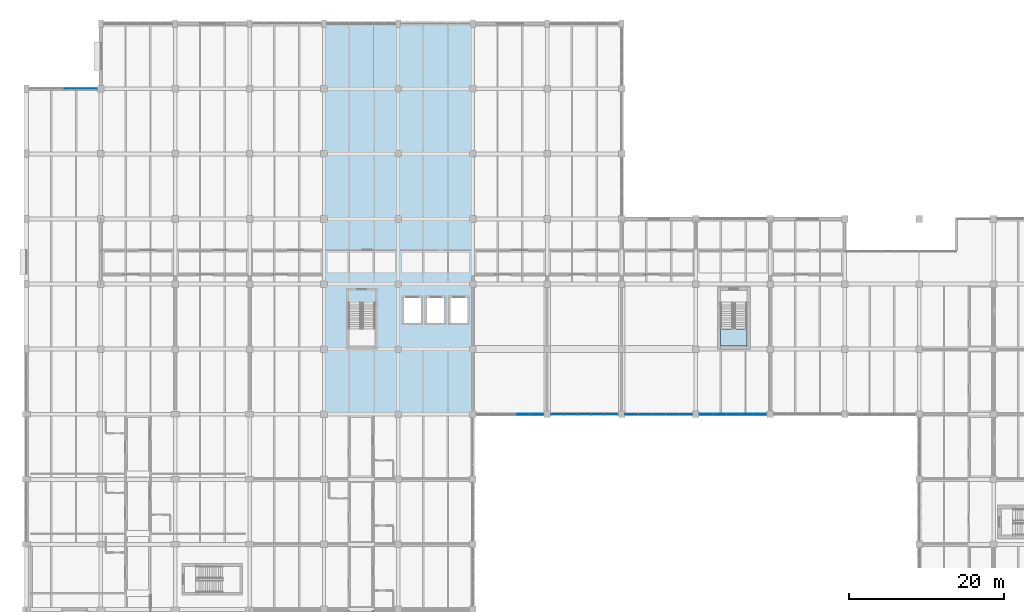
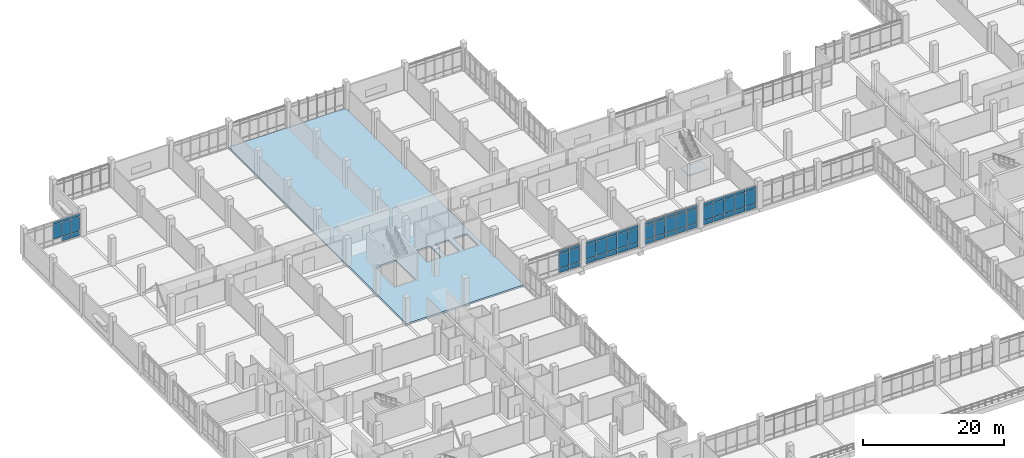
# One storey, part 92 of 152: 59 plates, 2 slabs, 6 elements without a shape of their own.
"""IFC4 building model written with IfcOpenShell, lengths in metres."""

from ifc_helpers import new_model, si_unit, direction, frame, origin, origin_2d, place, context, subcontext, project, spatial, polyline, rectangle, outline, extrude, material, layer, layer_set, type_object, element, aggregate, save


model = new_model("IFC4")

# Units and contexts
model_context = context("Model", 3, precision=1e-05, world=origin(), true_north=direction((0.0, 1.0)))
body_context = subcontext(model_context, "Body", "Model", "MODEL_VIEW")
ifc_project = project(units=[si_unit("LENGTHUNIT", "METRE"), si_unit("AREAUNIT", "SQUARE_METRE"), si_unit("VOLUMEUNIT", "CUBIC_METRE"), si_unit("PLANEANGLEUNIT", "RADIAN"), si_unit("MASSUNIT", "GRAM", prefix="KILO")], contexts=[model_context])

# Site, building, storey
site_placement = place(None, origin())
site = spatial("IfcSite", under=ifc_project, at=site_placement, CompositionType="ELEMENT")
building_placement = place(site_placement, origin())
building = spatial("IfcBuilding", under=site, at=building_placement, Name="Oolite Switchyard Hospital", CompositionType="ELEMENT")
storey_placement = place(building_placement, frame((0.0, 0.0, 5.10009765625)))
storey = spatial("IfcBuildingStorey", under=building, at=storey_placement, Name="L01", CompositionType="ELEMENT", Elevation=5.10009765625)

# Curtain wall, plates
ifc_material_1 = material(Name="Thermally broken aluminum frame with laminated impact glazing", Category="aluminium")
curtain_wall_type = type_object("IfcCurtainWallType", Name="CW-UNIT-96X48", PredefinedType="USERDEFINED", material=ifc_material_1)
curtain_wall_1_placement = place(storey_placement, origin())
curtain_wall_1 = element("IfcCurtainWall", 1, at=curtain_wall_1_placement, inside=storey, type_object=curtain_wall_type, Name="L01 Unitised Curtain Wall 151", ObjectType="UNITISED", PredefinedType="USERDEFINED")
ifc_material_2 = material(Name="Insulated fluoropolymer-coated aluminum spandrel panel", Category="aluminium")
ifc_layer_1 = layer(ifc_material_2, 0.054931640625)
ifc_layer_set_1 = layer_set([ifc_layer_1], Name="CW-PNL-SPN55")
plate_type_1 = type_object("IfcPlateType", Name="CW-PNL-SPN55", PredefinedType="CURTAIN_PANEL", material=ifc_layer_set_1)
plate_1_placement = place(storey_placement, frame((5.485107421875, 126.0, 0.88720703125), z_axis=(0.0, 0.0, 1.0), x_axis=(1.0, 0.0, 0.0)))
plate_1 = element("IfcPlate", 2, at=plate_1_placement, type_object=plate_type_1, Name="CW-02 panel 4.2", PredefinedType="CURTAIN_PANEL", context=body_context, shape_type="SweptSolid", body=[
    extrude(rectangle(XDim=1.39501953125, YDim=0.054931640625, at=origin_2d()), origin(), (0.0, 0.0, 1.0), 2.465087890625),
])
plate_2_placement = place(storey_placement, frame((5.485107421875, 126.0, 3.427490234375), z_axis=(0.0, 0.0, 1.0), x_axis=(1.0, 0.0, 0.0)))
plate_2 = element("IfcPlate", 3, at=plate_2_placement, type_object=plate_type_1, Name="CW-02 panel 4.3", PredefinedType="CURTAIN_PANEL", context=body_context, shape_type="SweptSolid", body=[
    extrude(rectangle(XDim=1.39501953125, YDim=0.054931640625, at=origin_2d()), origin(), (0.0, 0.0, 1.0), 0.4375),
])
plate_3_placement = place(storey_placement, frame((6.955078125, 126.0, 0.07470703125), z_axis=(0.0, 0.0, 1.0), x_axis=(1.0, 0.0, 0.0)))
plate_3 = element("IfcPlate", 4, at=plate_3_placement, type_object=plate_type_1, Name="CW-02 panel 5.1", PredefinedType="CURTAIN_PANEL", context=body_context, shape_type="SweptSolid", body=[
    extrude(rectangle(XDim=1.39501953125, YDim=0.054931640625, at=origin_2d()), origin(), (0.0, 0.0, 1.0), 0.737548828125),
])
plate_4_placement = place(storey_placement, frame((6.955078125, 126.0, 0.88720703125), z_axis=(0.0, 0.0, 1.0), x_axis=(1.0, 0.0, 0.0)))
plate_4 = element("IfcPlate", 5, at=plate_4_placement, type_object=plate_type_1, Name="CW-02 panel 5.2", PredefinedType="CURTAIN_PANEL", context=body_context, shape_type="SweptSolid", body=[
    extrude(rectangle(XDim=1.39501953125, YDim=0.054931640625, at=origin_2d()), origin(), (0.0, 0.0, 1.0), 2.465087890625),
])
plate_5_placement = place(storey_placement, frame((6.955078125, 126.0, 3.427490234375), z_axis=(0.0, 0.0, 1.0), x_axis=(1.0, 0.0, 0.0)))
plate_5 = element("IfcPlate", 6, at=plate_5_placement, type_object=plate_type_1, Name="CW-02 panel 5.3", PredefinedType="CURTAIN_PANEL", context=body_context, shape_type="SweptSolid", body=[
    extrude(rectangle(XDim=1.39501953125, YDim=0.054931640625, at=origin_2d()), origin(), (0.0, 0.0, 1.0), 0.4375),
])
plate_6_placement = place(storey_placement, frame((8.40625, 126.0, 0.07470703125), z_axis=(0.0, 0.0, 1.0), x_axis=(1.0, 0.0, 0.0)))
plate_6 = element("IfcPlate", 7, at=plate_6_placement, type_object=plate_type_1, Name="CW-02 panel 6.1", PredefinedType="CURTAIN_PANEL", context=body_context, shape_type="SweptSolid", body=[
    extrude(rectangle(XDim=1.357421875, YDim=0.054931640625, at=origin_2d()), origin(), (0.0, 0.0, 1.0), 0.737548828125),
])
plate_7_placement = place(storey_placement, frame((8.40625, 126.0, 0.88720703125), z_axis=(0.0, 0.0, 1.0), x_axis=(1.0, 0.0, 0.0)))
plate_7 = element("IfcPlate", 8, at=plate_7_placement, type_object=plate_type_1, Name="CW-02 panel 6.2", PredefinedType="CURTAIN_PANEL", context=body_context, shape_type="SweptSolid", body=[
    extrude(rectangle(XDim=1.357421875, YDim=0.054931640625, at=origin_2d()), origin(), (0.0, 0.0, 1.0), 2.465087890625),
])
plate_8_placement = place(storey_placement, frame((8.40625, 126.0, 3.427490234375), z_axis=(0.0, 0.0, 1.0), x_axis=(1.0, 0.0, 0.0)))
plate_8 = element("IfcPlate", 9, at=plate_8_placement, type_object=plate_type_1, Name="CW-02 panel 6.3", PredefinedType="CURTAIN_PANEL", context=body_context, shape_type="SweptSolid", body=[
    extrude(rectangle(XDim=1.357421875, YDim=0.054931640625, at=origin_2d()), origin(), (0.0, 0.0, 1.0), 0.4375),
])
aggregate(curtain_wall_1, [plate_1, plate_2, plate_3, plate_4, plate_5, plate_6, plate_7, plate_8])

curtain_wall_2_placement = place(storey_placement, origin())
curtain_wall_2 = element("IfcCurtainWall", 10, at=curtain_wall_2_placement, inside=storey, type_object=curtain_wall_type, Name="L01 Unitised Curtain Wall 138", ObjectType="UNITISED", PredefinedType="USERDEFINED")
ifc_layer_2 = layer(ifc_material_2, 0.070068359375)
ifc_layer_set_2 = layer_set([ifc_layer_2], Name="CW-PNL-SPN70")
plate_type_2 = type_object("IfcPlateType", Name="CW-PNL-SPN70", PredefinedType="CURTAIN_PANEL", material=ifc_layer_set_2)
plate_9_placement = place(storey_placement, frame((65.87060546875, 84.0, 0.06005859375), z_axis=(0.0, 0.0, 1.0), x_axis=(-1.0, 0.0, 0.0)))
plate_9 = element("IfcPlate", 11, at=plate_9_placement, type_object=plate_type_2, Name="CW-02 panel 1.1", PredefinedType="CURTAIN_PANEL", context=body_context, shape_type="SweptSolid", body=[
    extrude(rectangle(XDim=1.638916015625, YDim=0.070068359375, at=origin_2d()), origin(), (0.0, 0.0, 1.0), 0.760009765625),
])
plate_10_placement = place(storey_placement, frame((65.87060546875, 84.0, 0.8798828125), z_axis=(0.0, 0.0, 1.0), x_axis=(-1.0, 0.0, 0.0)))
plate_10 = element("IfcPlate", 12, at=plate_10_placement, type_object=plate_type_2, Name="CW-02 panel 1.2", PredefinedType="CURTAIN_PANEL", context=body_context, shape_type="SweptSolid", body=[
    extrude(rectangle(XDim=1.638916015625, YDim=0.070068359375, at=origin_2d()), origin(), (0.0, 0.0, 1.0), 2.47998046875),
])
plate_11_placement = place(storey_placement, frame((65.87060546875, 84.0, 3.419921875), z_axis=(0.0, 0.0, 1.0), x_axis=(-1.0, 0.0, 0.0)))
plate_11 = element("IfcPlate", 13, at=plate_11_placement, type_object=plate_type_2, Name="CW-02 panel 1.3", PredefinedType="CURTAIN_PANEL", context=body_context, shape_type="SweptSolid", body=[
    extrude(rectangle(XDim=1.638916015625, YDim=0.070068359375, at=origin_2d()), origin(), (0.0, 0.0, 1.0), 0.4599609375),
])
plate_12_placement = place(storey_placement, frame((64.14404296875, 84.0, 0.06005859375), z_axis=(0.0, 0.0, 1.0), x_axis=(-1.0, 0.0, 0.0)))
plate_12 = element("IfcPlate", 14, at=plate_12_placement, type_object=plate_type_2, Name="CW-02 panel 2.1", PredefinedType="CURTAIN_PANEL", context=body_context, shape_type="SweptSolid", body=[
    extrude(rectangle(XDim=1.674072265625, YDim=0.070068359375, at=origin_2d()), origin(), (0.0, 0.0, 1.0), 0.760009765625),
])
plate_13_placement = place(storey_placement, frame((64.14404296875, 84.0, 0.8798828125), z_axis=(0.0, 0.0, 1.0), x_axis=(-1.0, 0.0, 0.0)))
plate_13 = element("IfcPlate", 15, at=plate_13_placement, type_object=plate_type_2, Name="CW-02 panel 2.2", PredefinedType="CURTAIN_PANEL", context=body_context, shape_type="SweptSolid", body=[
    extrude(rectangle(XDim=1.674072265625, YDim=0.070068359375, at=origin_2d()), origin(), (0.0, 0.0, 1.0), 2.47998046875),
])
plate_14_placement = place(storey_placement, frame((64.14404296875, 84.0, 3.419921875), z_axis=(0.0, 0.0, 1.0), x_axis=(-1.0, 0.0, 0.0)))
plate_14 = element("IfcPlate", 16, at=plate_14_placement, type_object=plate_type_2, Name="CW-02 panel 2.3", PredefinedType="CURTAIN_PANEL", context=body_context, shape_type="SweptSolid", body=[
    extrude(rectangle(XDim=1.674072265625, YDim=0.070068359375, at=origin_2d()), origin(), (0.0, 0.0, 1.0), 0.4599609375),
])
aggregate(curtain_wall_2, [plate_9, plate_10, plate_11, plate_12, plate_13, plate_14])

curtain_wall_3_placement = place(storey_placement, origin())
curtain_wall_3 = element("IfcCurtainWall", 17, at=curtain_wall_3_placement, inside=storey, type_object=curtain_wall_type, Name="L01 Unitised Curtain Wall 141", ObjectType="UNITISED", PredefinedType="USERDEFINED")
plate_15_placement = place(storey_placement, frame((94.67041015625, 84.0, 0.07470703125), z_axis=(0.0, 0.0, 1.0), x_axis=(-1.0, 0.0, 0.0)))
plate_15 = element("IfcPlate", 18, at=plate_15_placement, type_object=plate_type_2, Name="CW-02 panel 1.1", PredefinedType="CURTAIN_PANEL", context=body_context, shape_type="SweptSolid", body=[
    extrude(rectangle(XDim=1.638916015625, YDim=0.070068359375, at=origin_2d()), origin(), (0.0, 0.0, 1.0), 0.737548828125),
])
plate_16_placement = place(storey_placement, frame((94.67041015625, 84.0, 0.88720703125), z_axis=(0.0, 0.0, 1.0), x_axis=(-1.0, 0.0, 0.0)))
plate_16 = element("IfcPlate", 19, at=plate_16_placement, type_object=plate_type_2, Name="CW-02 panel 1.2", PredefinedType="CURTAIN_PANEL", context=body_context, shape_type="SweptSolid", body=[
    extrude(rectangle(XDim=1.638916015625, YDim=0.070068359375, at=origin_2d()), origin(), (0.0, 0.0, 1.0), 2.465087890625),
])
plate_17_placement = place(storey_placement, frame((94.67041015625, 84.0, 3.427490234375), z_axis=(0.0, 0.0, 1.0), x_axis=(-1.0, 0.0, 0.0)))
plate_17 = element("IfcPlate", 20, at=plate_17_placement, type_object=plate_type_2, Name="CW-02 panel 1.3", PredefinedType="CURTAIN_PANEL", context=body_context, shape_type="SweptSolid", body=[
    extrude(rectangle(XDim=1.638916015625, YDim=0.070068359375, at=origin_2d()), origin(), (0.0, 0.0, 1.0), 0.4375),
])
plate_18_placement = place(storey_placement, frame((92.944091796875, 84.0, 0.07470703125), z_axis=(0.0, 0.0, 1.0), x_axis=(-1.0, 0.0, 0.0)))
plate_18 = element("IfcPlate", 21, at=plate_18_placement, type_object=plate_type_2, Name="CW-02 panel 2.1", PredefinedType="CURTAIN_PANEL", context=body_context, shape_type="SweptSolid", body=[
    extrude(rectangle(XDim=1.674072265625, YDim=0.070068359375, at=origin_2d()), origin(), (0.0, 0.0, 1.0), 0.737548828125),
])
plate_19_placement = place(storey_placement, frame((92.944091796875, 84.0, 0.88720703125), z_axis=(0.0, 0.0, 1.0), x_axis=(-1.0, 0.0, 0.0)))
plate_19 = element("IfcPlate", 22, at=plate_19_placement, type_object=plate_type_2, Name="CW-02 panel 2.2", PredefinedType="CURTAIN_PANEL", context=body_context, shape_type="SweptSolid", body=[
    extrude(rectangle(XDim=1.674072265625, YDim=0.070068359375, at=origin_2d()), origin(), (0.0, 0.0, 1.0), 2.465087890625),
])
plate_20_placement = place(storey_placement, frame((92.944091796875, 84.0, 3.427490234375), z_axis=(0.0, 0.0, 1.0), x_axis=(-1.0, 0.0, 0.0)))
plate_20 = element("IfcPlate", 23, at=plate_20_placement, type_object=plate_type_2, Name="CW-02 panel 2.3", PredefinedType="CURTAIN_PANEL", context=body_context, shape_type="SweptSolid", body=[
    extrude(rectangle(XDim=1.674072265625, YDim=0.070068359375, at=origin_2d()), origin(), (0.0, 0.0, 1.0), 0.4375),
])
plate_21_placement = place(storey_placement, frame((91.199951171875, 84.0, 0.07470703125), z_axis=(0.0, 0.0, 1.0), x_axis=(-1.0, 0.0, 0.0)))
plate_21 = element("IfcPlate", 24, at=plate_21_placement, type_object=plate_type_2, Name="CW-02 panel 3.1", PredefinedType="CURTAIN_PANEL", context=body_context, shape_type="SweptSolid", body=[
    extrude(rectangle(XDim=1.674072265625, YDim=0.070068359375, at=origin_2d()), origin(), (0.0, 0.0, 1.0), 0.737548828125),
])
plate_22_placement = place(storey_placement, frame((91.199951171875, 84.0, 0.88720703125), z_axis=(0.0, 0.0, 1.0), x_axis=(-1.0, 0.0, 0.0)))
plate_22 = element("IfcPlate", 25, at=plate_22_placement, type_object=plate_type_2, Name="CW-02 panel 3.2", PredefinedType="CURTAIN_PANEL", context=body_context, shape_type="SweptSolid", body=[
    extrude(rectangle(XDim=1.674072265625, YDim=0.070068359375, at=origin_2d()), origin(), (0.0, 0.0, 1.0), 2.465087890625),
])
plate_23_placement = place(storey_placement, frame((91.199951171875, 84.0, 3.427490234375), z_axis=(0.0, 0.0, 1.0), x_axis=(-1.0, 0.0, 0.0)))
plate_23 = element("IfcPlate", 26, at=plate_23_placement, type_object=plate_type_2, Name="CW-02 panel 3.3", PredefinedType="CURTAIN_PANEL", context=body_context, shape_type="SweptSolid", body=[
    extrude(rectangle(XDim=1.674072265625, YDim=0.070068359375, at=origin_2d()), origin(), (0.0, 0.0, 1.0), 0.4375),
])
plate_24_placement = place(storey_placement, frame((89.4560546875, 84.0, 0.07470703125), z_axis=(0.0, 0.0, 1.0), x_axis=(-1.0, 0.0, 0.0)))
plate_24 = element("IfcPlate", 27, at=plate_24_placement, type_object=plate_type_2, Name="CW-02 panel 4.1", PredefinedType="CURTAIN_PANEL", context=body_context, shape_type="SweptSolid", body=[
    extrude(rectangle(XDim=1.674072265625, YDim=0.070068359375, at=origin_2d()), origin(), (0.0, 0.0, 1.0), 0.737548828125),
])
plate_25_placement = place(storey_placement, frame((89.4560546875, 84.0, 0.88720703125), z_axis=(0.0, 0.0, 1.0), x_axis=(-1.0, 0.0, 0.0)))
plate_25 = element("IfcPlate", 28, at=plate_25_placement, type_object=plate_type_2, Name="CW-02 panel 4.2", PredefinedType="CURTAIN_PANEL", context=body_context, shape_type="SweptSolid", body=[
    extrude(rectangle(XDim=1.674072265625, YDim=0.070068359375, at=origin_2d()), origin(), (0.0, 0.0, 1.0), 2.465087890625),
])
plate_26_placement = place(storey_placement, frame((89.4560546875, 84.0, 3.427490234375), z_axis=(0.0, 0.0, 1.0), x_axis=(-1.0, 0.0, 0.0)))
plate_26 = element("IfcPlate", 29, at=plate_26_placement, type_object=plate_type_2, Name="CW-02 panel 4.3", PredefinedType="CURTAIN_PANEL", context=body_context, shape_type="SweptSolid", body=[
    extrude(rectangle(XDim=1.674072265625, YDim=0.070068359375, at=origin_2d()), origin(), (0.0, 0.0, 1.0), 0.4375),
])
plate_27_placement = place(storey_placement, frame((87.7294921875, 84.0, 0.07470703125), z_axis=(0.0, 0.0, 1.0), x_axis=(-1.0, 0.0, 0.0)))
plate_27 = element("IfcPlate", 30, at=plate_27_placement, type_object=plate_type_2, Name="CW-02 panel 5.1", PredefinedType="CURTAIN_PANEL", context=body_context, shape_type="SweptSolid", body=[
    extrude(rectangle(XDim=1.638916015625, YDim=0.070068359375, at=origin_2d()), origin(), (0.0, 0.0, 1.0), 0.737548828125),
])
plate_28_placement = place(storey_placement, frame((87.7294921875, 84.0, 0.88720703125), z_axis=(0.0, 0.0, 1.0), x_axis=(-1.0, 0.0, 0.0)))
plate_28 = element("IfcPlate", 31, at=plate_28_placement, type_object=plate_type_2, Name="CW-02 panel 5.2", PredefinedType="CURTAIN_PANEL", context=body_context, shape_type="SweptSolid", body=[
    extrude(rectangle(XDim=1.638916015625, YDim=0.070068359375, at=origin_2d()), origin(), (0.0, 0.0, 1.0), 2.465087890625),
])
plate_29_placement = place(storey_placement, frame((87.7294921875, 84.0, 3.427490234375), z_axis=(0.0, 0.0, 1.0), x_axis=(-1.0, 0.0, 0.0)))
plate_29 = element("IfcPlate", 32, at=plate_29_placement, type_object=plate_type_2, Name="CW-02 panel 5.3", PredefinedType="CURTAIN_PANEL", context=body_context, shape_type="SweptSolid", body=[
    extrude(rectangle(XDim=1.638916015625, YDim=0.070068359375, at=origin_2d()), origin(), (0.0, 0.0, 1.0), 0.4375),
])
aggregate(curtain_wall_3, [plate_15, plate_16, plate_17, plate_18, plate_19, plate_20, plate_21, plate_22, plate_23, plate_24, plate_25, plate_26, plate_27, plate_28, plate_29])

curtain_wall_4_placement = place(storey_placement, origin())
curtain_wall_4 = element("IfcCurtainWall", 33, at=curtain_wall_4_placement, inside=storey, type_object=curtain_wall_type, Name="L01 Unitised Curtain Wall 139", ObjectType="UNITISED", PredefinedType="USERDEFINED")
ifc_material_3 = material(Name="Laminated hurricane-impact insulated glazing unit", Category="glass")
ifc_layer_3 = layer(ifc_material_3, 0.031982421875)
ifc_layer_set_3 = layer_set([ifc_layer_3], Name="CW-PNL-VIS32")
plate_type_3 = type_object("IfcPlateType", Name="CW-PNL-VIS32", PredefinedType="CURTAIN_PANEL", material=ifc_layer_set_3)
plate_30_placement = place(storey_placement, frame((75.46923828125, 84.0, 0.07470703125), z_axis=(0.0, 0.0, 1.0), x_axis=(-1.0, 0.0, 0.0)))
plate_30 = element("IfcPlate", 34, at=plate_30_placement, type_object=plate_type_3, Name="CW-02 panel 1.1", PredefinedType="CURTAIN_PANEL", context=body_context, shape_type="SweptSolid", body=[
    extrude(rectangle(XDim=1.631591796875, YDim=0.031982421875, at=origin_2d()), origin(), (0.0, 0.0, 1.0), 0.737548828125),
])
plate_31_placement = place(storey_placement, frame((75.46923828125, 84.0, 0.88720703125), z_axis=(0.0, 0.0, 1.0), x_axis=(-1.0, 0.0, 0.0)))
plate_31 = element("IfcPlate", 35, at=plate_31_placement, type_object=plate_type_3, Name="CW-02 panel 1.2", PredefinedType="CURTAIN_PANEL", context=body_context, shape_type="SweptSolid", body=[
    extrude(rectangle(XDim=1.631591796875, YDim=0.031982421875, at=origin_2d()), origin(), (0.0, 0.0, 1.0), 2.465087890625),
])
plate_32_placement = place(storey_placement, frame((75.46923828125, 84.0, 3.427490234375), z_axis=(0.0, 0.0, 1.0), x_axis=(-1.0, 0.0, 0.0)))
plate_32 = element("IfcPlate", 36, at=plate_32_placement, type_object=plate_type_3, Name="CW-02 panel 1.3", PredefinedType="CURTAIN_PANEL", context=body_context, shape_type="SweptSolid", body=[
    extrude(rectangle(XDim=1.631591796875, YDim=0.031982421875, at=origin_2d()), origin(), (0.0, 0.0, 1.0), 0.4375),
])
plate_33_placement = place(storey_placement, frame((73.743896484375, 84.0, 0.07470703125), z_axis=(0.0, 0.0, 1.0), x_axis=(-1.0, 0.0, 0.0)))
plate_33 = element("IfcPlate", 37, at=plate_33_placement, type_object=plate_type_3, Name="CW-02 panel 2.1", PredefinedType="CURTAIN_PANEL", context=body_context, shape_type="SweptSolid", body=[
    extrude(rectangle(XDim=1.6689453125, YDim=0.031982421875, at=origin_2d()), origin(), (0.0, 0.0, 1.0), 0.737548828125),
])
plate_34_placement = place(storey_placement, frame((73.743896484375, 84.0, 0.88720703125), z_axis=(0.0, 0.0, 1.0), x_axis=(-1.0, 0.0, 0.0)))
plate_34 = element("IfcPlate", 38, at=plate_34_placement, type_object=plate_type_3, Name="CW-02 panel 2.2", PredefinedType="CURTAIN_PANEL", context=body_context, shape_type="SweptSolid", body=[
    extrude(rectangle(XDim=1.6689453125, YDim=0.031982421875, at=origin_2d()), origin(), (0.0, 0.0, 1.0), 2.465087890625),
])
plate_35_placement = place(storey_placement, frame((73.743896484375, 84.0, 3.427490234375), z_axis=(0.0, 0.0, 1.0), x_axis=(-1.0, 0.0, 0.0)))
plate_35 = element("IfcPlate", 39, at=plate_35_placement, type_object=plate_type_3, Name="CW-02 panel 2.3", PredefinedType="CURTAIN_PANEL", context=body_context, shape_type="SweptSolid", body=[
    extrude(rectangle(XDim=1.6689453125, YDim=0.031982421875, at=origin_2d()), origin(), (0.0, 0.0, 1.0), 0.4375),
])
plate_36_placement = place(storey_placement, frame((72.0, 84.0, 0.07470703125), z_axis=(0.0, 0.0, 1.0), x_axis=(-1.0, 0.0, 0.0)))
plate_36 = element("IfcPlate", 40, at=plate_36_placement, type_object=plate_type_3, Name="CW-02 panel 3.1", PredefinedType="CURTAIN_PANEL", context=body_context, shape_type="SweptSolid", body=[
    extrude(rectangle(XDim=1.6689453125, YDim=0.031982421875, at=origin_2d()), origin(), (0.0, 0.0, 1.0), 0.737548828125),
])
plate_37_placement = place(storey_placement, frame((72.0, 84.0, 0.88720703125), z_axis=(0.0, 0.0, 1.0), x_axis=(-1.0, 0.0, 0.0)))
plate_37 = element("IfcPlate", 41, at=plate_37_placement, type_object=plate_type_3, Name="CW-02 panel 3.2", PredefinedType="CURTAIN_PANEL", context=body_context, shape_type="SweptSolid", body=[
    extrude(rectangle(XDim=1.6689453125, YDim=0.031982421875, at=origin_2d()), origin(), (0.0, 0.0, 1.0), 2.465087890625),
])
plate_38_placement = place(storey_placement, frame((72.0, 84.0, 3.427490234375), z_axis=(0.0, 0.0, 1.0), x_axis=(-1.0, 0.0, 0.0)))
plate_38 = element("IfcPlate", 42, at=plate_38_placement, type_object=plate_type_3, Name="CW-02 panel 3.3", PredefinedType="CURTAIN_PANEL", context=body_context, shape_type="SweptSolid", body=[
    extrude(rectangle(XDim=1.6689453125, YDim=0.031982421875, at=origin_2d()), origin(), (0.0, 0.0, 1.0), 0.4375),
])
plate_39_placement = place(storey_placement, frame((70.256103515625, 84.0, 0.07470703125), z_axis=(0.0, 0.0, 1.0), x_axis=(-1.0, 0.0, 0.0)))
plate_39 = element("IfcPlate", 43, at=plate_39_placement, type_object=plate_type_3, Name="CW-02 panel 4.1", PredefinedType="CURTAIN_PANEL", context=body_context, shape_type="SweptSolid", body=[
    extrude(rectangle(XDim=1.6689453125, YDim=0.031982421875, at=origin_2d()), origin(), (0.0, 0.0, 1.0), 0.737548828125),
])
plate_40_placement = place(storey_placement, frame((70.256103515625, 84.0, 0.88720703125), z_axis=(0.0, 0.0, 1.0), x_axis=(-1.0, 0.0, 0.0)))
plate_40 = element("IfcPlate", 44, at=plate_40_placement, type_object=plate_type_3, Name="CW-02 panel 4.2", PredefinedType="CURTAIN_PANEL", context=body_context, shape_type="SweptSolid", body=[
    extrude(rectangle(XDim=1.6689453125, YDim=0.031982421875, at=origin_2d()), origin(), (0.0, 0.0, 1.0), 2.465087890625),
])
plate_41_placement = place(storey_placement, frame((70.256103515625, 84.0, 3.427490234375), z_axis=(0.0, 0.0, 1.0), x_axis=(-1.0, 0.0, 0.0)))
plate_41 = element("IfcPlate", 45, at=plate_41_placement, type_object=plate_type_3, Name="CW-02 panel 4.3", PredefinedType="CURTAIN_PANEL", context=body_context, shape_type="SweptSolid", body=[
    extrude(rectangle(XDim=1.6689453125, YDim=0.031982421875, at=origin_2d()), origin(), (0.0, 0.0, 1.0), 0.4375),
])
plate_42_placement = place(storey_placement, frame((68.53076171875, 84.0, 0.07470703125), z_axis=(0.0, 0.0, 1.0), x_axis=(-1.0, 0.0, 0.0)))
plate_42 = element("IfcPlate", 46, at=plate_42_placement, type_object=plate_type_3, Name="CW-02 panel 5.1", PredefinedType="CURTAIN_PANEL", context=body_context, shape_type="SweptSolid", body=[
    extrude(rectangle(XDim=1.631591796875, YDim=0.031982421875, at=origin_2d()), origin(), (0.0, 0.0, 1.0), 0.737548828125),
])
plate_43_placement = place(storey_placement, frame((68.53076171875, 84.0, 0.88720703125), z_axis=(0.0, 0.0, 1.0), x_axis=(-1.0, 0.0, 0.0)))
plate_43 = element("IfcPlate", 47, at=plate_43_placement, type_object=plate_type_3, Name="CW-02 panel 5.2", PredefinedType="CURTAIN_PANEL", context=body_context, shape_type="SweptSolid", body=[
    extrude(rectangle(XDim=1.631591796875, YDim=0.031982421875, at=origin_2d()), origin(), (0.0, 0.0, 1.0), 2.465087890625),
])
plate_44_placement = place(storey_placement, frame((68.53076171875, 84.0, 3.427490234375), z_axis=(0.0, 0.0, 1.0), x_axis=(-1.0, 0.0, 0.0)))
plate_44 = element("IfcPlate", 48, at=plate_44_placement, type_object=plate_type_3, Name="CW-02 panel 5.3", PredefinedType="CURTAIN_PANEL", context=body_context, shape_type="SweptSolid", body=[
    extrude(rectangle(XDim=1.631591796875, YDim=0.031982421875, at=origin_2d()), origin(), (0.0, 0.0, 1.0), 0.4375),
])
aggregate(curtain_wall_4, [plate_30, plate_31, plate_32, plate_33, plate_34, plate_35, plate_36, plate_37, plate_38, plate_39, plate_40, plate_41, plate_42, plate_43, plate_44])

curtain_wall_5_placement = place(storey_placement, origin())
curtain_wall_5 = element("IfcCurtainWall", 49, at=curtain_wall_5_placement, inside=storey, type_object=curtain_wall_type, Name="L01 Unitised Curtain Wall 140", ObjectType="UNITISED", PredefinedType="USERDEFINED")
ifc_layer_4 = layer(ifc_material_3, 0.0419921875)
ifc_layer_set_4 = layer_set([ifc_layer_4], Name="CW-PNL-VIS42")
plate_type_4 = type_object("IfcPlateType", Name="CW-PNL-VIS42", PredefinedType="CURTAIN_PANEL", material=ifc_layer_set_4)
plate_45_placement = place(storey_placement, frame((85.072998046875, 84.0, 0.06005859375), z_axis=(0.0, 0.0, 1.0), x_axis=(-1.0, 0.0, 0.0)))
plate_45 = element("IfcPlate", 50, at=plate_45_placement, type_object=plate_type_4, Name="CW-02 panel 1.1", PredefinedType="CURTAIN_PANEL", context=body_context, shape_type="SweptSolid", body=[
    extrude(rectangle(XDim=1.654052734375, YDim=0.0419921875, at=origin_2d()), origin(), (0.0, 0.0, 1.0), 0.760009765625),
])
plate_46_placement = place(storey_placement, frame((85.072998046875, 84.0, 0.8798828125), z_axis=(0.0, 0.0, 1.0), x_axis=(-1.0, 0.0, 0.0)))
plate_46 = element("IfcPlate", 51, at=plate_46_placement, type_object=plate_type_4, Name="CW-02 panel 1.2", PredefinedType="CURTAIN_PANEL", context=body_context, shape_type="SweptSolid", body=[
    extrude(rectangle(XDim=1.654052734375, YDim=0.0419921875, at=origin_2d()), origin(), (0.0, 0.0, 1.0), 2.47998046875),
])
plate_47_placement = place(storey_placement, frame((85.072998046875, 84.0, 3.419921875), z_axis=(0.0, 0.0, 1.0), x_axis=(-1.0, 0.0, 0.0)))
plate_47 = element("IfcPlate", 52, at=plate_47_placement, type_object=plate_type_4, Name="CW-02 panel 1.3", PredefinedType="CURTAIN_PANEL", context=body_context, shape_type="SweptSolid", body=[
    extrude(rectangle(XDim=1.654052734375, YDim=0.0419921875, at=origin_2d()), origin(), (0.0, 0.0, 1.0), 0.4599609375),
])
plate_48_placement = place(storey_placement, frame((83.343994140625, 84.0, 0.06005859375), z_axis=(0.0, 0.0, 1.0), x_axis=(-1.0, 0.0, 0.0)))
plate_48 = element("IfcPlate", 53, at=plate_48_placement, type_object=plate_type_4, Name="CW-02 panel 2.1", PredefinedType="CURTAIN_PANEL", context=body_context, shape_type="SweptSolid", body=[
    extrude(rectangle(XDim=1.68408203125, YDim=0.0419921875, at=origin_2d()), origin(), (0.0, 0.0, 1.0), 0.760009765625),
])
plate_49_placement = place(storey_placement, frame((83.343994140625, 84.0, 0.8798828125), z_axis=(0.0, 0.0, 1.0), x_axis=(-1.0, 0.0, 0.0)))
plate_49 = element("IfcPlate", 54, at=plate_49_placement, type_object=plate_type_4, Name="CW-02 panel 2.2", PredefinedType="CURTAIN_PANEL", context=body_context, shape_type="SweptSolid", body=[
    extrude(rectangle(XDim=1.68408203125, YDim=0.0419921875, at=origin_2d()), origin(), (0.0, 0.0, 1.0), 2.47998046875),
])
plate_50_placement = place(storey_placement, frame((83.343994140625, 84.0, 3.419921875), z_axis=(0.0, 0.0, 1.0), x_axis=(-1.0, 0.0, 0.0)))
plate_50 = element("IfcPlate", 55, at=plate_50_placement, type_object=plate_type_4, Name="CW-02 panel 2.3", PredefinedType="CURTAIN_PANEL", context=body_context, shape_type="SweptSolid", body=[
    extrude(rectangle(XDim=1.68408203125, YDim=0.0419921875, at=origin_2d()), origin(), (0.0, 0.0, 1.0), 0.4599609375),
])
plate_51_placement = place(storey_placement, frame((81.60009765625, 84.0, 0.06005859375), z_axis=(0.0, 0.0, 1.0), x_axis=(-1.0, 0.0, 0.0)))
plate_51 = element("IfcPlate", 56, at=plate_51_placement, type_object=plate_type_4, Name="CW-02 panel 3.1", PredefinedType="CURTAIN_PANEL", context=body_context, shape_type="SweptSolid", body=[
    extrude(rectangle(XDim=1.68408203125, YDim=0.0419921875, at=origin_2d()), origin(), (0.0, 0.0, 1.0), 0.760009765625),
])
plate_52_placement = place(storey_placement, frame((81.60009765625, 84.0, 0.8798828125), z_axis=(0.0, 0.0, 1.0), x_axis=(-1.0, 0.0, 0.0)))
plate_52 = element("IfcPlate", 57, at=plate_52_placement, type_object=plate_type_4, Name="CW-02 panel 3.2", PredefinedType="CURTAIN_PANEL", context=body_context, shape_type="SweptSolid", body=[
    extrude(rectangle(XDim=1.68408203125, YDim=0.0419921875, at=origin_2d()), origin(), (0.0, 0.0, 1.0), 2.47998046875),
])
plate_53_placement = place(storey_placement, frame((81.60009765625, 84.0, 3.419921875), z_axis=(0.0, 0.0, 1.0), x_axis=(-1.0, 0.0, 0.0)))
plate_53 = element("IfcPlate", 58, at=plate_53_placement, type_object=plate_type_4, Name="CW-02 panel 3.3", PredefinedType="CURTAIN_PANEL", context=body_context, shape_type="SweptSolid", body=[
    extrude(rectangle(XDim=1.68408203125, YDim=0.0419921875, at=origin_2d()), origin(), (0.0, 0.0, 1.0), 0.4599609375),
])
plate_54_placement = place(storey_placement, frame((79.85595703125, 84.0, 0.06005859375), z_axis=(0.0, 0.0, 1.0), x_axis=(-1.0, 0.0, 0.0)))
plate_54 = element("IfcPlate", 59, at=plate_54_placement, type_object=plate_type_4, Name="CW-02 panel 4.1", PredefinedType="CURTAIN_PANEL", context=body_context, shape_type="SweptSolid", body=[
    extrude(rectangle(XDim=1.68408203125, YDim=0.0419921875, at=origin_2d()), origin(), (0.0, 0.0, 1.0), 0.760009765625),
])
plate_55_placement = place(storey_placement, frame((79.85595703125, 84.0, 0.8798828125), z_axis=(0.0, 0.0, 1.0), x_axis=(-1.0, 0.0, 0.0)))
plate_55 = element("IfcPlate", 60, at=plate_55_placement, type_object=plate_type_4, Name="CW-02 panel 4.2", PredefinedType="CURTAIN_PANEL", context=body_context, shape_type="SweptSolid", body=[
    extrude(rectangle(XDim=1.68408203125, YDim=0.0419921875, at=origin_2d()), origin(), (0.0, 0.0, 1.0), 2.47998046875),
])
plate_56_placement = place(storey_placement, frame((79.85595703125, 84.0, 3.419921875), z_axis=(0.0, 0.0, 1.0), x_axis=(-1.0, 0.0, 0.0)))
plate_56 = element("IfcPlate", 61, at=plate_56_placement, type_object=plate_type_4, Name="CW-02 panel 4.3", PredefinedType="CURTAIN_PANEL", context=body_context, shape_type="SweptSolid", body=[
    extrude(rectangle(XDim=1.68408203125, YDim=0.0419921875, at=origin_2d()), origin(), (0.0, 0.0, 1.0), 0.4599609375),
])
plate_57_placement = place(storey_placement, frame((78.126953125, 84.0, 0.06005859375), z_axis=(0.0, 0.0, 1.0), x_axis=(-1.0, 0.0, 0.0)))
plate_57 = element("IfcPlate", 62, at=plate_57_placement, type_object=plate_type_4, Name="CW-02 panel 5.1", PredefinedType="CURTAIN_PANEL", context=body_context, shape_type="SweptSolid", body=[
    extrude(rectangle(XDim=1.654052734375, YDim=0.0419921875, at=origin_2d()), origin(), (0.0, 0.0, 1.0), 0.760009765625),
])
plate_58_placement = place(storey_placement, frame((78.126953125, 84.0, 0.8798828125), z_axis=(0.0, 0.0, 1.0), x_axis=(-1.0, 0.0, 0.0)))
plate_58 = element("IfcPlate", 63, at=plate_58_placement, type_object=plate_type_4, Name="CW-02 panel 5.2", PredefinedType="CURTAIN_PANEL", context=body_context, shape_type="SweptSolid", body=[
    extrude(rectangle(XDim=1.654052734375, YDim=0.0419921875, at=origin_2d()), origin(), (0.0, 0.0, 1.0), 2.47998046875),
])
plate_59_placement = place(storey_placement, frame((78.126953125, 84.0, 3.419921875), z_axis=(0.0, 0.0, 1.0), x_axis=(-1.0, 0.0, 0.0)))
plate_59 = element("IfcPlate", 64, at=plate_59_placement, type_object=plate_type_4, Name="CW-02 panel 5.3", PredefinedType="CURTAIN_PANEL", context=body_context, shape_type="SweptSolid", body=[
    extrude(rectangle(XDim=1.654052734375, YDim=0.0419921875, at=origin_2d()), origin(), (0.0, 0.0, 1.0), 0.4599609375),
])
aggregate(curtain_wall_5, [plate_45, plate_46, plate_47, plate_48, plate_49, plate_50, plate_51, plate_52, plate_53, plate_54, plate_55, plate_56, plate_57, plate_58, plate_59])

# Slab
ifc_material_4 = material(Name="Concrete C40/50", Category="concrete")
ifc_layer_5 = layer(ifc_material_4, 0.300048828125)
ifc_layer_set_5 = layer_set([ifc_layer_5], Name="SLB-FLR-300")
slab_type_1 = type_object("IfcSlabType", Name="SLB-FLR-300", PredefinedType="FLOOR", material=ifc_layer_set_5)
slab_1_placement = place(storey_placement, frame((0.0, 0.0, -0.300048828125)))
element("IfcSlab", 65, at=slab_1_placement, inside=storey, type_object=slab_type_1, Name="L01 V3 Slab V3B", PredefinedType="FLOOR", context=body_context, shape_type="SweptSolid", body=[
    extrude(outline(polyline([(38.39990234375, 84.0), (57.60009765625, 84.0), (57.60009765625, 134.39990234375), (38.39990234375, 134.39990234375), (38.39990234375, 84.0)]), holes=[polyline([(41.60009765625, 98.389892578125), (41.60009765625, 92.800048828125), (44.9599609375, 92.800048828125), (44.9599609375, 98.389892578125), (41.60009765625, 98.389892578125)]), polyline([(48.699951171875, 95.800048828125), (50.89990234375, 95.800048828125), (50.89990234375, 99.0), (48.699951171875, 99.0), (48.699951171875, 95.800048828125)]), polyline([(51.699951171875, 95.800048828125), (53.89990234375, 95.800048828125), (53.89990234375, 99.0), (51.699951171875, 99.0), (51.699951171875, 95.800048828125)]), polyline([(54.699951171875, 95.800048828125), (56.89990234375, 95.800048828125), (56.89990234375, 99.0), (54.699951171875, 99.0), (54.699951171875, 95.800048828125)])]), origin(), (0.0, 0.0, 1.0), 0.300048828125),
])

# Stair, slab
stair_type = type_object("IfcStairType", Name="STR-DL-156-R26", PredefinedType="HALF_TURN_STAIR", material=ifc_material_4)
stair_placement = place(storey_placement, origin())
stair = element("IfcStair", 66, at=stair_placement, inside=storey, type_object=stair_type, Name="L01 Exit Stair ST-09", PredefinedType="HALF_TURN_STAIR")
ifc_layer_6 = layer(ifc_material_4, 0.199951171875)
ifc_layer_set_6 = layer_set([ifc_layer_6], Name="SLB-LND-200")
slab_type_2 = type_object("IfcSlabType", Name="SLB-LND-200", PredefinedType="LANDING", material=ifc_layer_set_6)
slab_2_placement = place(storey_placement, frame((0.0, 0.0, 2.199951171875)))
slab_2 = element("IfcSlab", 67, at=slab_2_placement, type_object=slab_type_2, Name="ST-09 landing 1", PredefinedType="LANDING", context=body_context, shape_type="SweptSolid", body=[
    extrude(outline(polyline([(89.60009765625, 95.030029296875), (89.60009765625, 92.800048828125), (92.9599609375, 92.800048828125), (92.9599609375, 95.030029296875), (89.60009765625, 95.030029296875)])), origin(), (0.0, 0.0, 1.0), 0.199951171875),
])
aggregate(stair, [slab_2])

save(model, "model.ifc")
